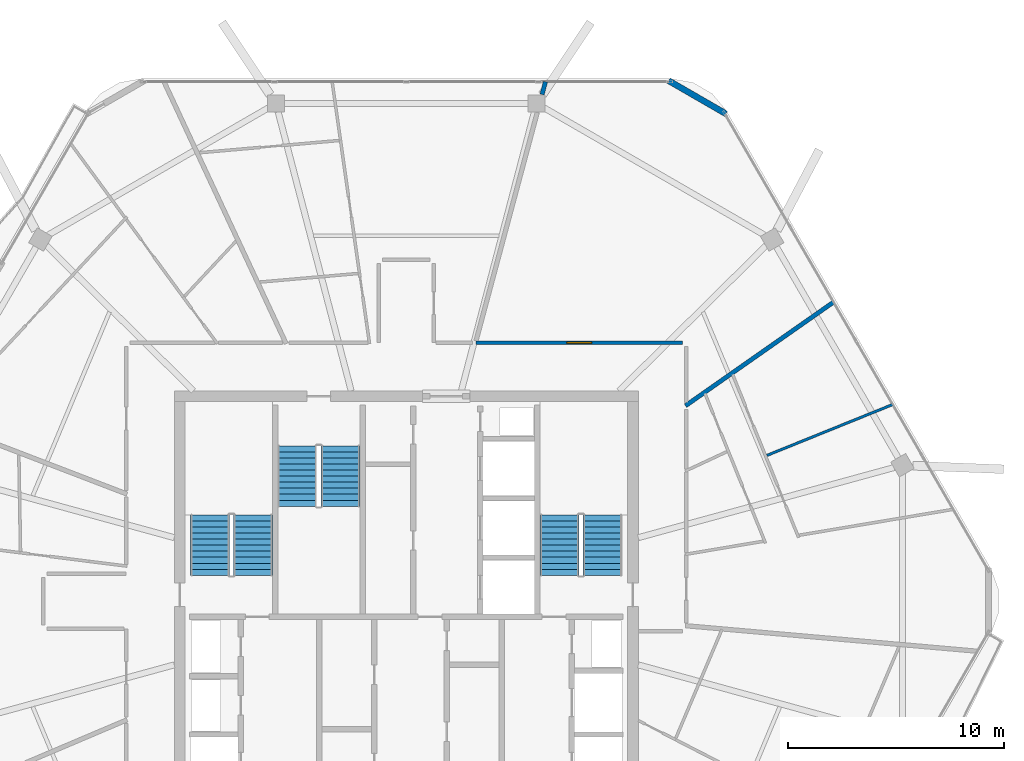
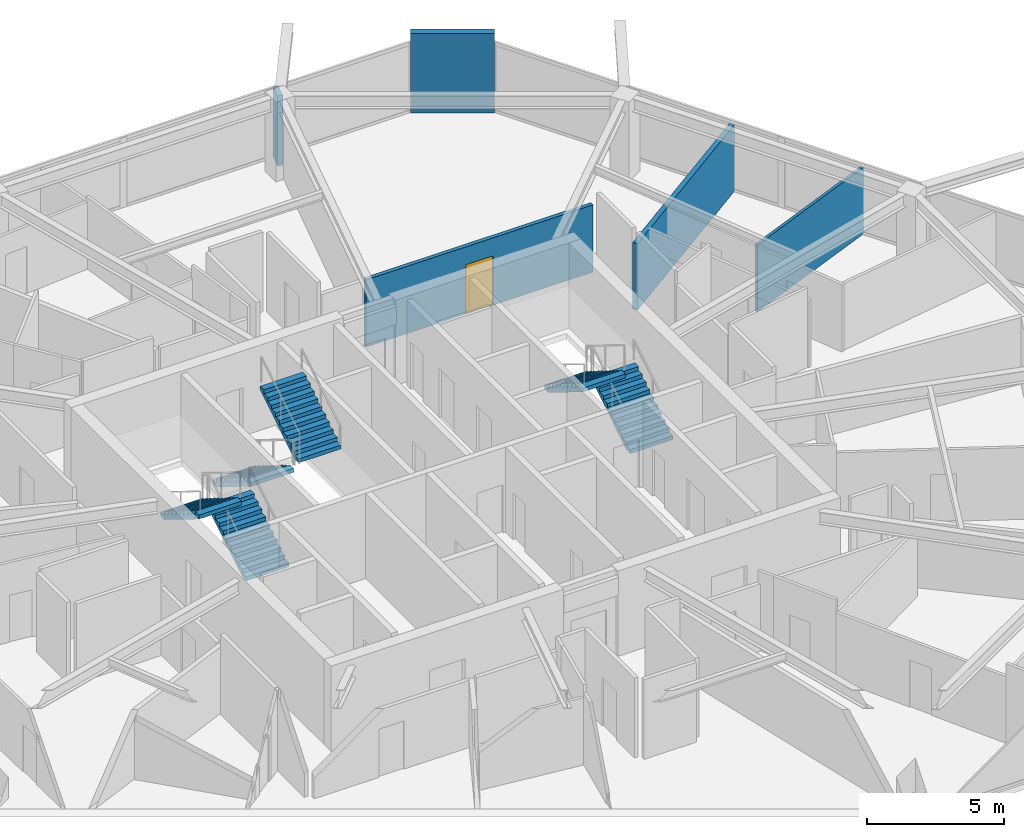
# One storey, part 16 of 19: 6 stair flights, 5 walls, 1 door, 1 opening, 3 elements without a shape of their own.
"""IFC4 building model written with IfcOpenShell, lengths in metres."""

from ifc_helpers import new_model, si_unit, direction, frame, frame_2d, origin, place, context, subcontext, project, spatial, polyline, rectangle, outline, extrude, material, layer, layer_set, type_object, element, fill, aggregate, save


model = new_model("IFC4")

# Units and contexts
model_context = context("Model", 3, precision=1e-05, world=origin(), true_north=direction((0.0, 1.0)))
body_context = subcontext(model_context, "Body", "Model", "MODEL_VIEW")
ifc_project = project(units=[si_unit("LENGTHUNIT", "METRE"), si_unit("AREAUNIT", "SQUARE_METRE"), si_unit("VOLUMEUNIT", "CUBIC_METRE"), si_unit("PLANEANGLEUNIT", "RADIAN"), si_unit("MASSUNIT", "GRAM", prefix="KILO")], contexts=[model_context])

# Site, building, storey
site_placement = place(None, origin())
site = spatial("IfcSite", under=ifc_project, at=site_placement, CompositionType="ELEMENT")
building_placement = place(site_placement, origin())
building = spatial("IfcBuilding", under=site, at=building_placement, Name="Zuhravey Tower", CompositionType="ELEMENT")
storey_placement = place(building_placement, frame((0.0, 0.0, 327.199951171875)))
storey = spatial("IfcBuildingStorey", under=building, at=storey_placement, Name="L83", CompositionType="ELEMENT", Elevation=327.199951171875)

# Wall, opening, door
ifc_material_1 = material(Name="Gypsum fire-rated stud partition")
ifc_layer_1 = layer(ifc_material_1, 0.159912109375)
ifc_layer_set_1 = layer_set([ifc_layer_1], Name="Gypsum fire-rated stud partition")
wall_type_1 = type_object("IfcWallType", Name="Corridor Fire Partition 160", PredefinedType="PARTITIONING", material=ifc_layer_set_1)
wall_1_placement = place(storey_placement, frame((48.800048828125, 43.97998046875, 0.0), z_axis=(0.0, 0.0, 1.0), x_axis=(-1.0, 0.0, 0.0)))
wall_1 = element("IfcWall", 1, at=wall_1_placement, inside=storey, type_object=wall_type_1, Name="L83 IW16 Partition 051", PredefinedType="PARTITIONING", context=body_context, shape_type="SweptSolid", body=[
    extrude(rectangle(XDim=9.5693359375, YDim=0.159912109375, at=frame_2d((4.78466796875, 0.0))), origin(), (0.0, 0.0, 1.0), 3.0),
])
opening_placement = place(wall_1_placement, frame((4.209716796875, 0.0, 0.0)))
opening = element("IfcOpeningElement", 2, at=opening_placement, cuts=wall_1, Name="Opening CLD1", PredefinedType="OPENING", context=body_context, shape_type="SweptSolid", body=[
    extrude(rectangle(XDim=1.14990234375, YDim=2.199951171875, at=frame_2d((0.574951171875, 1.10009765625))), frame((0.0, 0.092041015625, 0.0), z_axis=(0.0, -1.0, 0.0), x_axis=(1.0, 0.0, 0.0)), (0.0, 0.0, 1.0), 0.183837890625),
])
ifc_material_2 = material(Name="Acoustic timber leaf with vision lite", Category="wood")
door_type = type_object("IfcDoorType", Name="Classroom Acoustic Door 1150x2200", OperationType="NOTDEFINED", PredefinedType="DOOR", material=ifc_material_2)
door_placement = place(opening_placement, frame((1.14990234375, 0.0, 0.0), z_axis=(0.0, 0.0, 1.0), x_axis=(-1.0, 0.0, 0.0)))
door = element("IfcDoor", 3, at=door_placement, inside=storey, type_object=door_type, Name="L83 Door 051.1", OperationType="SINGLE_SWING_RIGHT", OverallHeight=2.199951171875, OverallWidth=1.14990234375, PredefinedType="DOOR", context=body_context, shape_type="SweptSolid", body=[
    extrude(rectangle(XDim=1.14990234375, YDim=2.199951171875, at=frame_2d((0.574951171875, 1.10009765625))), frame((0.0, 0.02490234375, 0.0), z_axis=(0.0, -1.0, 0.0), x_axis=(1.0, 0.0, 0.0)), (0.0, 0.0, 1.0), 0.050048828125),
])
fill(opening, door)

# Walls
ifc_material_3 = material(Name="Precast concrete C40/50", Category="concrete")
ifc_layer_2 = layer(ifc_material_3, 0.280029296875)
ifc_layer_set_2 = layer_set([ifc_layer_2], Name="Precast concrete C40/50")
wall_type_2 = type_object("IfcWallType", Name="Crown Architectural Wall 280", PredefinedType="SOLIDWALL", material=ifc_layer_set_2)
wall_2_placement = place(storey_placement, frame((48.156982421875, 56.12158203125, 0.0), z_axis=(0.0, 0.0, 1.0), x_axis=(0.866023752521, -0.50000286006, 0.0)))
element("IfcWall", 4, at=wall_2_placement, inside=storey, type_object=wall_type_2, Name="L83 Rounded Corner Closure Wall EW28-10", PredefinedType="SOLIDWALL", context=body_context, shape_type="SweptSolid", body=[
    extrude(rectangle(XDim=3.06494140625, YDim=0.280029296875, at=frame_2d((1.532470703125, 0.0))), origin(), (0.0, 0.0, 1.0), 3.550048828125),
])
ifc_material_4 = material(Name="Gypsum double-stud party assembly")
ifc_layer_3 = layer(ifc_material_4, 0.199951171875)
ifc_layer_set_3 = layer_set([ifc_layer_3], Name="Gypsum double-stud party assembly")
wall_type_3 = type_object("IfcWallType", Name="Inter-Tenancy Party Wall 200", PredefinedType="PARTITIONING", material=ifc_layer_set_3)
wall_3_placement = place(storey_placement, frame((48.93994140625, 41.060791015625, 0.0), z_axis=(0.0, 0.0, 1.0), x_axis=(0.819159279368, 0.573566103448, 0.0)))
element("IfcWall", 5, at=wall_3_placement, inside=storey, type_object=wall_type_3, Name="L83 IW20 Partition 087", PredefinedType="PARTITIONING", context=body_context, shape_type="SweptSolid", body=[
    extrude(rectangle(XDim=8.369140625, YDim=0.199951171875, at=frame_2d((4.1845703125, 0.0))), origin(), (0.0, 0.0, 1.0), 2.969970703125),
])
wall_4_placement = place(storey_placement, frame((42.29248046875, 55.484130859375, 0.0), z_axis=(0.0, 0.0, 1.0), x_axis=(0.258955805871, 0.965889170974, 0.0)))
element("IfcWall", 6, at=wall_4_placement, inside=storey, type_object=wall_type_3, Name="L83 IW20 Partition 089", PredefinedType="PARTITIONING", context=body_context, shape_type="SweptSolid", body=[
    extrude(rectangle(XDim=0.61083984375, YDim=0.199951171875, at=frame_2d((0.305419921875, 0.0))), origin(), (0.0, 0.0, 1.0), 3.1220703125),
])
ifc_material_5 = material(Name="Gypsum metal-stud partition")
ifc_layer_4 = layer(ifc_material_5, 0.1201171875)
ifc_layer_set_4 = layer_set([ifc_layer_4], Name="Gypsum metal-stud partition")
wall_type_4 = type_object("IfcWallType", Name="Unit Internal Partition 120", PredefinedType="PARTITIONING", material=ifc_layer_set_4)
wall_5_placement = place(storey_placement, frame((52.713623046875, 38.759521484375, 0.0), z_axis=(0.0, 0.0, 1.0), x_axis=(0.927048652302, 0.374941057056, 0.0)))
element("IfcWall", 7, at=wall_5_placement, inside=storey, type_object=wall_type_4, Name="L83 IW12 Partition 084", PredefinedType="PARTITIONING", context=body_context, shape_type="SweptSolid", body=[
    extrude(rectangle(XDim=6.290771484375, YDim=0.1201171875, at=frame_2d((3.1455078125, 0.0))), origin(), (0.0, 0.0, 1.0), 2.969970703125),
])

# Stair, stair flights
ifc_material_6 = material(Name="Concrete C40/50", Category="concrete")
stair_type = type_object("IfcStairType", Name="Housing Storey Stair Assembly 3800", PredefinedType="HALF_TURN_STAIR", material=ifc_material_6)
stair_1_placement = place(storey_placement, origin())
stair_1 = element("IfcStair", 8, at=stair_1_placement, inside=storey, type_object=stair_type, Name="L83 Core Exit Stair ST1", PredefinedType="HALF_TURN_STAIR")
stair_flight_type = type_object("IfcStairFlightType", Name="Housing Storey Stair Flight 3800", PredefinedType="STRAIGHT", material=ifc_material_6)
stair_flight_1_placement = place(storey_placement, frame((28.89990234375, 33.199951171875, 0.0), z_axis=(0.0, 0.0, 1.0), x_axis=(0.0, 1.0, 0.0)))
stair_flight_1 = element("IfcStairFlight", 9, at=stair_flight_1_placement, type_object=stair_flight_type, Name="ST1 flight 1", NumberOfRisers=11, NumberOfTreads=10, PredefinedType="STRAIGHT", RiserHeight=0.172727273, TreadLength=0.28, context=body_context, shape_type="SweptSolid", body=[
    extrude(outline(polyline([(0.0, 0.0), (0.0, 0.172607421875), (0.280029296875, 0.172607421875), (0.280029296875, 0.345458984375), (0.56005859375, 0.345458984375), (0.56005859375, 0.51806640625), (0.840087890625, 0.51806640625), (0.840087890625, 0.69091796875), (1.1201171875, 0.69091796875), (1.1201171875, 0.863525390625), (1.39990234375, 0.863525390625), (1.39990234375, 1.036376953125), (1.679931640625, 1.036376953125), (1.679931640625, 1.208984375), (1.9599609375, 1.208984375), (1.9599609375, 1.3818359375), (2.239990234375, 1.3818359375), (2.239990234375, 1.554443359375), (2.52001953125, 1.554443359375), (2.52001953125, 1.727294921875), (2.800048828125, 1.727294921875), (2.800048828125, 1.89990234375), (2.800048828125, 1.551025390625), (0.285400390625, 0.0), (0.0, 0.0)])), frame((0.0, 0.89990234375, 0.0), z_axis=(0.0, -1.0, 0.0), x_axis=(1.0, 0.0, 0.0)), (0.0, 0.0, 1.0), 1.800048828125),
])
stair_flight_2_placement = place(storey_placement, frame((26.89990234375, 36.0, 1.900146484375), z_axis=(0.0, 0.0, 1.0), x_axis=(0.0, -1.0, 0.0)))
stair_flight_2 = element("IfcStairFlight", 10, at=stair_flight_2_placement, type_object=stair_flight_type, Name="ST1 flight 2", NumberOfRisers=11, NumberOfTreads=10, PredefinedType="STRAIGHT", RiserHeight=0.172727273, TreadLength=0.28, context=body_context, shape_type="SweptSolid", body=[
    extrude(outline(polyline([(0.0, 0.0), (0.0, 0.172607421875), (0.280029296875, 0.172607421875), (0.280029296875, 0.345458984375), (0.56005859375, 0.345458984375), (0.56005859375, 0.51806640625), (0.840087890625, 0.51806640625), (0.840087890625, 0.69091796875), (1.1201171875, 0.69091796875), (1.1201171875, 0.863525390625), (1.39990234375, 0.863525390625), (1.39990234375, 1.036376953125), (1.679931640625, 1.036376953125), (1.679931640625, 1.208984375), (1.9599609375, 1.208984375), (1.9599609375, 1.3818359375), (2.239990234375, 1.3818359375), (2.239990234375, 1.554443359375), (2.52001953125, 1.554443359375), (2.52001953125, 1.727294921875), (2.800048828125, 1.727294921875), (2.800048828125, 1.89990234375), (2.800048828125, 1.551025390625), (0.285400390625, 0.0), (0.0, 0.0)])), frame((0.0, 0.89990234375, 0.0), z_axis=(0.0, -1.0, 0.0), x_axis=(1.0, 0.0, 0.0)), (0.0, 0.0, 1.0), 1.800048828125),
])
aggregate(stair_1, [stair_flight_1, stair_flight_2])

stair_2_placement = place(storey_placement, origin())
stair_2 = element("IfcStair", 11, at=stair_2_placement, inside=storey, type_object=stair_type, Name="L83 Core Exit Stair ST2", PredefinedType="HALF_TURN_STAIR")
stair_flight_3_placement = place(storey_placement, frame((45.10009765625, 33.199951171875, 0.0), z_axis=(0.0, 0.0, 1.0), x_axis=(0.0, 1.0, 0.0)))
stair_flight_3 = element("IfcStairFlight", 12, at=stair_flight_3_placement, type_object=stair_flight_type, Name="ST2 flight 1", NumberOfRisers=11, NumberOfTreads=10, PredefinedType="STRAIGHT", RiserHeight=0.172727273, TreadLength=0.28, context=body_context, shape_type="SweptSolid", body=[
    extrude(outline(polyline([(0.0, 0.0), (0.0, 0.172607421875), (0.280029296875, 0.172607421875), (0.280029296875, 0.345458984375), (0.56005859375, 0.345458984375), (0.56005859375, 0.51806640625), (0.840087890625, 0.51806640625), (0.840087890625, 0.69091796875), (1.1201171875, 0.69091796875), (1.1201171875, 0.863525390625), (1.39990234375, 0.863525390625), (1.39990234375, 1.036376953125), (1.679931640625, 1.036376953125), (1.679931640625, 1.208984375), (1.9599609375, 1.208984375), (1.9599609375, 1.3818359375), (2.239990234375, 1.3818359375), (2.239990234375, 1.554443359375), (2.52001953125, 1.554443359375), (2.52001953125, 1.727294921875), (2.800048828125, 1.727294921875), (2.800048828125, 1.89990234375), (2.800048828125, 1.551025390625), (0.285400390625, 0.0), (0.0, 0.0)])), frame((0.0, 0.89990234375, 0.0), z_axis=(0.0, -1.0, 0.0), x_axis=(1.0, 0.0, 0.0)), (0.0, 0.0, 1.0), 1.800048828125),
])
stair_flight_4_placement = place(storey_placement, frame((43.10009765625, 36.0, 1.900146484375), z_axis=(0.0, 0.0, 1.0), x_axis=(0.0, -1.0, 0.0)))
stair_flight_4 = element("IfcStairFlight", 13, at=stair_flight_4_placement, type_object=stair_flight_type, Name="ST2 flight 2", NumberOfRisers=11, NumberOfTreads=10, PredefinedType="STRAIGHT", RiserHeight=0.172727273, TreadLength=0.28, context=body_context, shape_type="SweptSolid", body=[
    extrude(outline(polyline([(0.0, 0.0), (0.0, 0.172607421875), (0.280029296875, 0.172607421875), (0.280029296875, 0.345458984375), (0.56005859375, 0.345458984375), (0.56005859375, 0.51806640625), (0.840087890625, 0.51806640625), (0.840087890625, 0.69091796875), (1.1201171875, 0.69091796875), (1.1201171875, 0.863525390625), (1.39990234375, 0.863525390625), (1.39990234375, 1.036376953125), (1.679931640625, 1.036376953125), (1.679931640625, 1.208984375), (1.9599609375, 1.208984375), (1.9599609375, 1.3818359375), (2.239990234375, 1.3818359375), (2.239990234375, 1.554443359375), (2.52001953125, 1.554443359375), (2.52001953125, 1.727294921875), (2.800048828125, 1.727294921875), (2.800048828125, 1.89990234375), (2.800048828125, 1.551025390625), (0.285400390625, 0.0), (0.0, 0.0)])), frame((0.0, 0.89990234375, 0.0), z_axis=(0.0, -1.0, 0.0), x_axis=(1.0, 0.0, 0.0)), (0.0, 0.0, 1.0), 1.800048828125),
])
aggregate(stair_2, [stair_flight_3, stair_flight_4])

stair_3_placement = place(storey_placement, origin())
stair_3 = element("IfcStair", 14, at=stair_3_placement, inside=storey, type_object=stair_type, Name="L83 Core Exit Stair ST3", PredefinedType="HALF_TURN_STAIR")
stair_flight_5_placement = place(storey_placement, frame((30.949951171875, 39.199951171875, 0.0), z_axis=(0.0, 0.0, 1.0), x_axis=(0.0, -1.0, 0.0)))
stair_flight_5 = element("IfcStairFlight", 15, at=stair_flight_5_placement, type_object=stair_flight_type, Name="ST3 flight 1", NumberOfRisers=11, NumberOfTreads=10, PredefinedType="STRAIGHT", RiserHeight=0.172727273, TreadLength=0.28, context=body_context, shape_type="SweptSolid", body=[
    extrude(outline(polyline([(0.0, 0.0), (0.0, 0.172607421875), (0.280029296875, 0.172607421875), (0.280029296875, 0.345458984375), (0.56005859375, 0.345458984375), (0.56005859375, 0.51806640625), (0.840087890625, 0.51806640625), (0.840087890625, 0.69091796875), (1.1201171875, 0.69091796875), (1.1201171875, 0.863525390625), (1.39990234375, 0.863525390625), (1.39990234375, 1.036376953125), (1.679931640625, 1.036376953125), (1.679931640625, 1.208984375), (1.9599609375, 1.208984375), (1.9599609375, 1.3818359375), (2.239990234375, 1.3818359375), (2.239990234375, 1.554443359375), (2.52001953125, 1.554443359375), (2.52001953125, 1.727294921875), (2.800048828125, 1.727294921875), (2.800048828125, 1.89990234375), (2.800048828125, 1.551025390625), (0.285400390625, 0.0), (0.0, 0.0)])), frame((0.0, 0.89990234375, 0.0), z_axis=(0.0, -1.0, 0.0), x_axis=(1.0, 0.0, 0.0)), (0.0, 0.0, 1.0), 1.800048828125),
])
stair_flight_6_placement = place(storey_placement, frame((32.949951171875, 36.39990234375, 1.900146484375), z_axis=(0.0, 0.0, 1.0), x_axis=(0.0, 1.0, 0.0)))
stair_flight_6 = element("IfcStairFlight", 16, at=stair_flight_6_placement, type_object=stair_flight_type, Name="ST3 flight 2", NumberOfRisers=11, NumberOfTreads=10, PredefinedType="STRAIGHT", RiserHeight=0.172727273, TreadLength=0.28, context=body_context, shape_type="SweptSolid", body=[
    extrude(outline(polyline([(0.0, 0.0), (0.0, 0.172607421875), (0.280029296875, 0.172607421875), (0.280029296875, 0.345458984375), (0.56005859375, 0.345458984375), (0.56005859375, 0.51806640625), (0.840087890625, 0.51806640625), (0.840087890625, 0.69091796875), (1.1201171875, 0.69091796875), (1.1201171875, 0.863525390625), (1.39990234375, 0.863525390625), (1.39990234375, 1.036376953125), (1.679931640625, 1.036376953125), (1.679931640625, 1.208984375), (1.9599609375, 1.208984375), (1.9599609375, 1.3818359375), (2.239990234375, 1.3818359375), (2.239990234375, 1.554443359375), (2.52001953125, 1.554443359375), (2.52001953125, 1.727294921875), (2.800048828125, 1.727294921875), (2.800048828125, 1.89990234375), (2.800048828125, 1.551025390625), (0.285400390625, 0.0), (0.0, 0.0)])), frame((0.0, 0.89990234375, 0.0), z_axis=(0.0, -1.0, 0.0), x_axis=(1.0, 0.0, 0.0)), (0.0, 0.0, 1.0), 1.800048828125),
])
aggregate(stair_3, [stair_flight_5, stair_flight_6])

save(model, "model.ifc")
